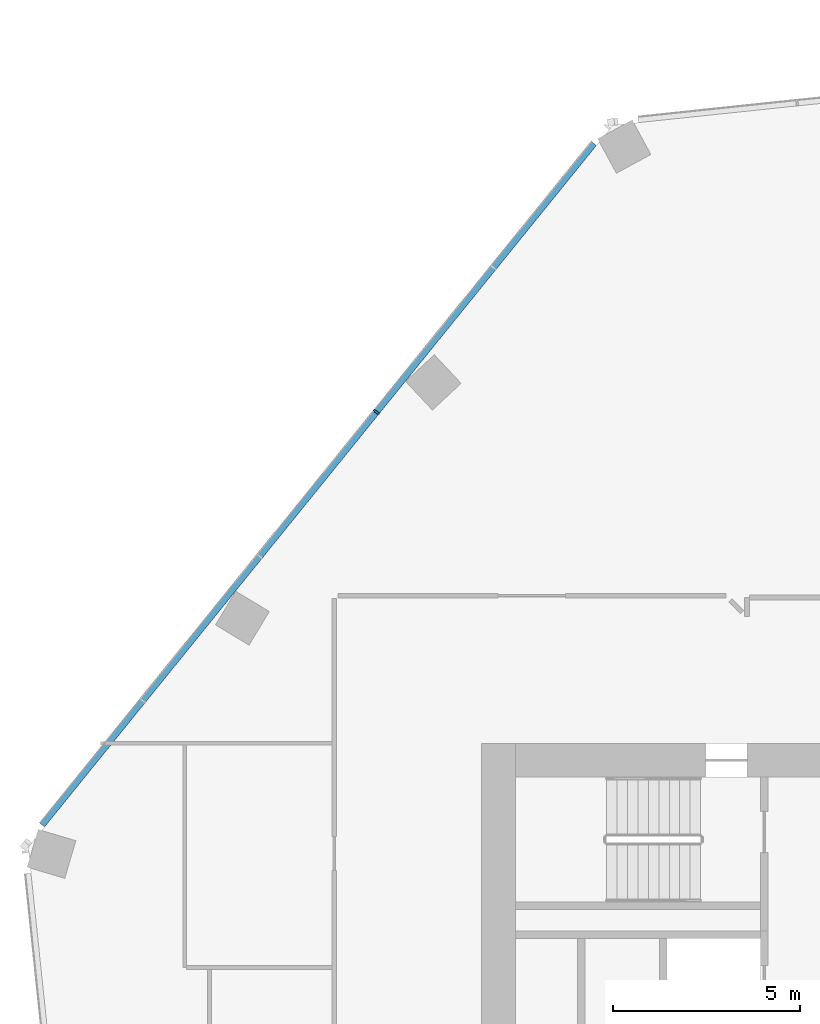
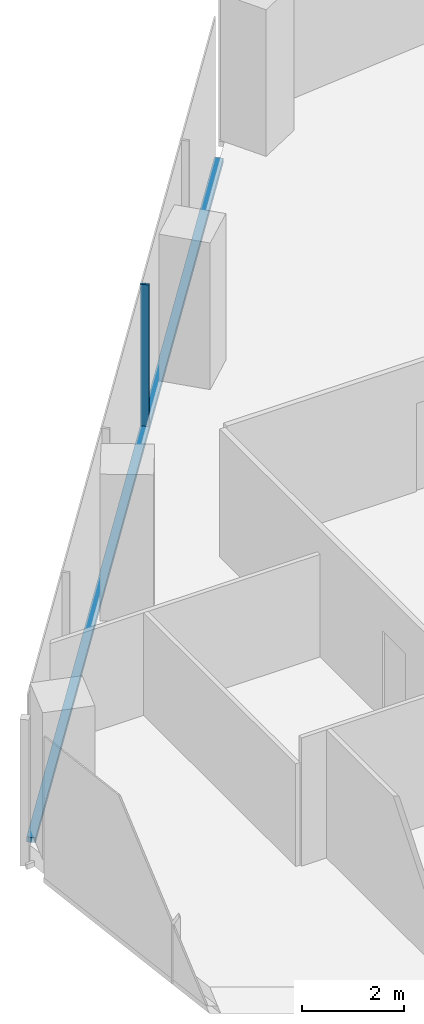
# One storey, part 8 of 23: 2 members, 1 element without a shape of its own.
"""IFC4 building model written with IfcOpenShell, lengths in metres."""

from ifc_helpers import new_model, si_unit, direction, frame, origin, origin_2d, place, context, subcontext, project, spatial, rectangle, extrude, material, material_profile, profile_set, type_object, element, aggregate, save


model = new_model("IFC4")

# Units and contexts
model_context = context("Model", 3, precision=1e-05, world=origin(), true_north=direction((0.0, 1.0)))
body_context = subcontext(model_context, "Body", "Model", "MODEL_VIEW")
ifc_project = project(units=[si_unit("LENGTHUNIT", "METRE"), si_unit("AREAUNIT", "SQUARE_METRE"), si_unit("VOLUMEUNIT", "CUBIC_METRE"), si_unit("PLANEANGLEUNIT", "RADIAN"), si_unit("MASSUNIT", "GRAM", prefix="KILO")], contexts=[model_context])

# Site, building, storey
site_placement = place(None, origin())
site = spatial("IfcSite", under=ifc_project, at=site_placement, CompositionType="ELEMENT")
building_placement = place(site_placement, origin())
building = spatial("IfcBuilding", under=site, at=building_placement, Name="Orlundy Tower", CompositionType="ELEMENT")
storey_placement = place(building_placement, frame((0.0, 0.0, 221.0)))
storey = spatial("IfcBuildingStorey", under=building, at=storey_placement, Name="L58", CompositionType="ELEMENT", Elevation=221.0)

# Curtain wall, members
ifc_material_1 = material(Name="Aluminium bronze anodised", Category="aluminium")
curtain_wall_type = type_object("IfcCurtainWallType", Name="CW1 wall", PredefinedType="NOTDEFINED", material=ifc_material_1)
curtain_wall_placement = place(storey_placement, origin())
curtain_wall = element("IfcCurtainWall", 1, at=curtain_wall_placement, inside=storey, type_object=curtain_wall_type, Name="CW1 run 03", PredefinedType="NOTDEFINED")
ifc_material_2 = material(Name="Aluminium bronze anodised", Category="aluminium")
ifc_material_profile_1 = material_profile(ifc_material_2, rectangle(XDim=0.179931640625, YDim=0.050048828125, at=origin_2d()), Name="CW1 mullion 50x180")
ifc_profile_set_1 = profile_set([ifc_material_profile_1], Name="Aluminium bronze anodised")
member_type_1 = type_object("IfcMemberType", Name="CW1 mullion 50x180", PredefinedType="MULLION", material=ifc_profile_set_1)
member_1_placement = place(storey_placement, frame((-21.8203125, 20.86767578125, -0.419921875), z_axis=(0.0, 0.0, 1.0), x_axis=(-0.777145540374, 0.629320911043, 0.0)))
member_1 = element("IfcMember", 2, at=member_1_placement, type_object=member_type_1, Name="CW1 mullion 13", PredefinedType="MULLION", context=body_context, shape_type="SweptSolid", body=[
    extrude(rectangle(XDim=0.179931640625, YDim=0.050048828125, at=origin_2d()), origin(), (0.0, 0.0, 1.0), 3.5),
])
ifc_material_3 = material(Name="Aluminium bronze anodised", Category="aluminium")
ifc_material_profile_2 = material_profile(ifc_material_3, rectangle(XDim=0.179931640625, YDim=0.1201171875, at=origin_2d()), Name="CW1 transom 180x120")
ifc_profile_set_2 = profile_set([ifc_material_profile_2], Name="Aluminium bronze anodised")
member_type_2 = type_object("IfcMemberType", Name="CW1 transom 180x120", PredefinedType="USERDEFINED", material=ifc_profile_set_2)
member_2_placement = place(storey_placement, frame((-30.768310546875, 9.81787109375, -0.360107421875), z_axis=(0.629325117988, 0.777142133634, 0.0), x_axis=(-0.777142133634, 0.629325117988, 0.0)))
member_2 = element("IfcMember", 3, at=member_2_placement, type_object=member_type_2, Name="CW1 transom", ObjectType="TRANSOM", PredefinedType="USERDEFINED", context=body_context, shape_type="SweptSolid", body=[
    extrude(rectangle(XDim=0.179931640625, YDim=0.1201171875, at=origin_2d()), origin(), (0.0, 0.0, 1.0), 23.466552734375),
])
aggregate(curtain_wall, [member_1, member_2])

save(model, "model.ifc")
